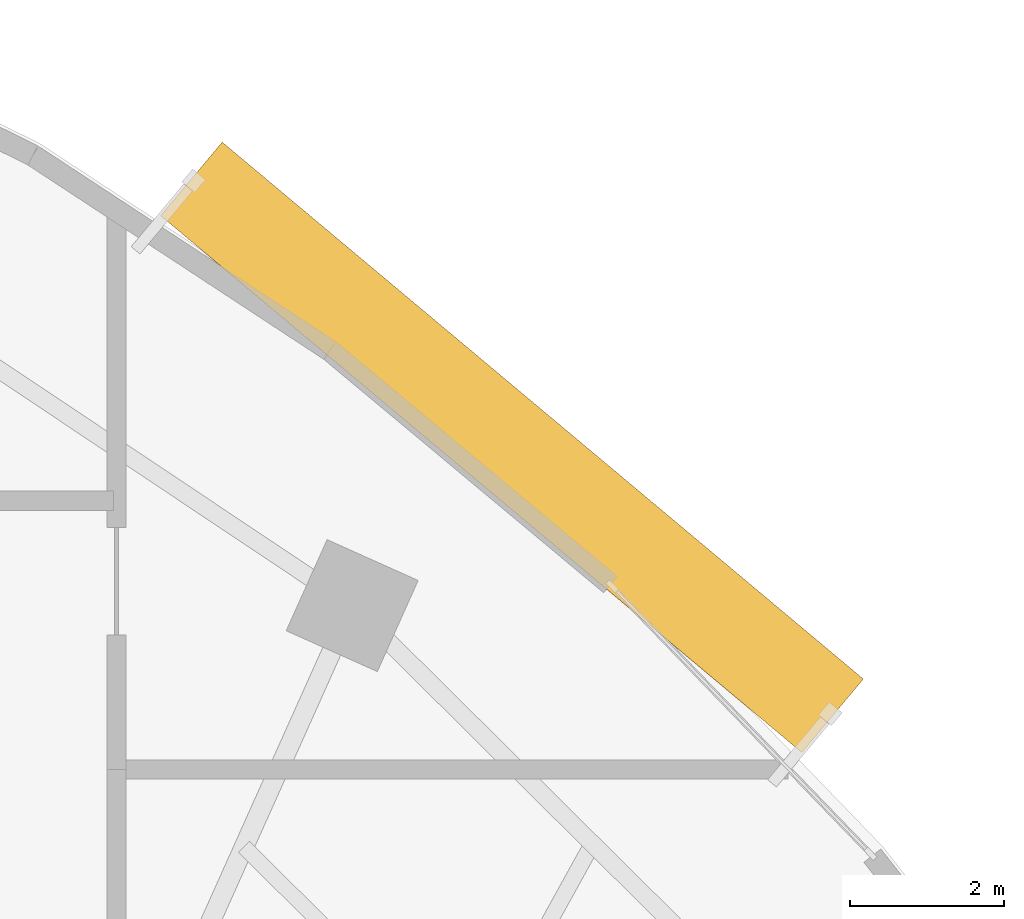
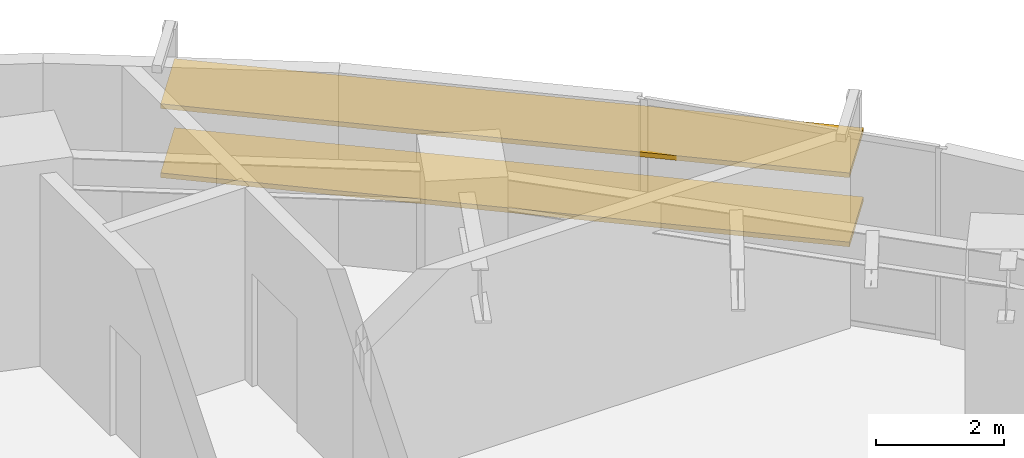
# One storey, part 13 of 13: 2 shading devices.
"""IFC4 building model written with IfcOpenShell, lengths in metres."""

from ifc_helpers import new_model, si_unit, direction, frame, origin, origin_2d, place, context, subcontext, project, spatial, rectangle, extrude, source, transform, mapped, material, material_profile, profile_set, type_object, element, save


model = new_model("IFC4")

# Units and contexts
model_context = context("Model", 3, precision=1e-05, world=origin(), true_north=direction((0.0, 1.0)))
body_context = subcontext(model_context, "Body", "Model", "MODEL_VIEW")
ifc_project = project(units=[si_unit("LENGTHUNIT", "METRE"), si_unit("AREAUNIT", "SQUARE_METRE"), si_unit("VOLUMEUNIT", "CUBIC_METRE"), si_unit("PLANEANGLEUNIT", "RADIAN"), si_unit("MASSUNIT", "GRAM", prefix="KILO")], contexts=[model_context])

# Site, building, storey
site_placement = place(None, origin())
site = spatial("IfcSite", under=ifc_project, at=site_placement, CompositionType="ELEMENT")
building_placement = place(site_placement, origin())
building = spatial("IfcBuilding", under=site, at=building_placement, Name="Breltana Convention Tower", CompositionType="ELEMENT")
storey_placement = place(building_placement, frame((0.0, 0.0, 127.199951171875)))
storey = spatial("IfcBuildingStorey", under=building, at=storey_placement, Name="L30", CompositionType="ELEMENT", Elevation=127.199951171875)

# Shading devices
ifc_material = material(Name="Limestone Warm Buff Honed", Category="masonry")
ifc_material_profile = material_profile(ifc_material, rectangle(XDim=1.25, YDim=0.090087890625, at=origin_2d()), Name="STN-LVR-1250X90")
ifc_profile_set = profile_set([ifc_material_profile], Name="Limestone Warm Buff Honed")
shading_device_type = type_object("IfcShadingDeviceType", Name="SHD-OUTER-SKIN-LIMESTONE-1250", PredefinedType="JALOUSIE", material=ifc_profile_set)
shared_shape = source(origin(), body_context, "Body", "SweptSolid", [
    extrude(rectangle(XDim=1.25, YDim=0.090087890625, at=origin_2d()), origin(), (0.0, 0.0, 1.0), 10.892333984375),
])
for number, where, z_axis, x_axis, name in (
    (1, (66.81591796875, 74.190673828125, 1.31396484375), (0.766718160057, -0.641983849515, 0.0), (0.641983849515, 0.766718160057, 0.0), "L30 outer skin warm limestone louvre 2.1"),
    (2, (66.81591796875, 74.190673828125, 2.6279296875), (0.766718160057, -0.641983849515, 0.0), (0.641983849515, 0.766718160057, 0.0), "L30 outer skin warm limestone louvre 2.2"),
):
    element("IfcShadingDevice", number, at=place(storey_placement, frame(where, z_axis=z_axis, x_axis=x_axis)), inside=storey, type_object=shading_device_type, Name=name, PredefinedType="JALOUSIE", context=body_context, shape_type="MappedRepresentation", body=[
        mapped(shared_shape, transform((0.0, 0.0, 0.0), scale=1.0)),
    ])

save(model, "model.ifc")
